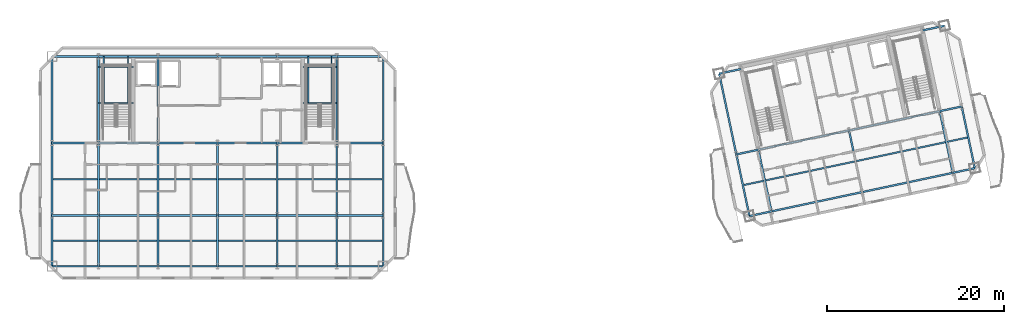
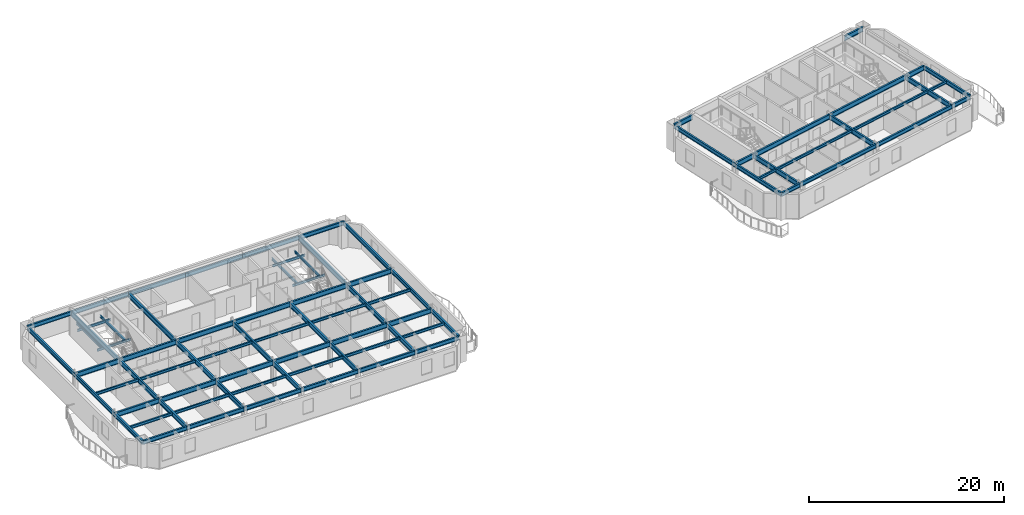
# One storey, part 3 of 13: 83 beams.
"""IFC4 building model written with IfcOpenShell, lengths in metres."""

from ifc_helpers import new_model, si_unit, direction, frame, origin, origin_2d, place, context, subcontext, project, spatial, i_section, extrude, material, material_profile, profile_set, type_object, element, save


model = new_model("IFC4")

# Units and contexts
model_context = context("Model", 3, precision=1e-05, world=origin(), true_north=direction((0.0, 1.0)))
body_context = subcontext(model_context, "Body", "Model", "MODEL_VIEW")
ifc_project = project(units=[si_unit("LENGTHUNIT", "METRE"), si_unit("AREAUNIT", "SQUARE_METRE"), si_unit("VOLUMEUNIT", "CUBIC_METRE"), si_unit("PLANEANGLEUNIT", "RADIAN"), si_unit("MASSUNIT", "GRAM", prefix="KILO")], contexts=[model_context])

# Site, building, storey
site_placement = place(None, origin())
site = spatial("IfcSite", under=ifc_project, at=site_placement, CompositionType="ELEMENT")
building_placement = place(site_placement, origin())
building = spatial("IfcBuilding", under=site, at=building_placement, Name="Haevon Station Towers", CompositionType="ELEMENT")
storey_placement = place(building_placement, frame((0.0, 0.0, 222.0)))
storey = spatial("IfcBuildingStorey", under=building, at=storey_placement, Name="L61", CompositionType="ELEMENT", Elevation=222.0)

# Beams
ifc_material = material(Name="Steel S355", Category="steel")
ifc_material_profile_1 = material_profile(ifc_material, i_section(OverallWidth=0.199951171875, OverallDepth=0.60009765625, WebThickness=0.010986328125, FlangeThickness=0.01708984375, at=origin_2d()), Name="H-600x200x11x17")
ifc_profile_set_1 = profile_set([ifc_material_profile_1], Name="Steel S355")
beam_type_1 = type_object("IfcBeamType", Name="BM-G600", PredefinedType="BEAM", material=ifc_profile_set_1)
beam_1_placement = place(storey_placement, frame((18.75, 30.0, 2.75), z_axis=(1.0, 0.0, 0.0), x_axis=(0.0, 1.0, 0.0)))
element("IfcBeam", 1, at=beam_1_placement, inside=storey, type_object=beam_type_1, Name="BM-T1U-L61-02-01", PredefinedType="BEAM", context=body_context, shape_type="SweptSolid", body=[
    extrude(i_section(OverallWidth=0.199951171875, OverallDepth=0.60009765625, WebThickness=0.010986328125, FlangeThickness=0.01708984375, at=origin_2d()), origin(), (0.0, 0.0, 1.0), 5.25),
])
for number, where, z_axis, x_axis, name in (
    (2, (24.0, 30.0, 2.75), (1.0, 0.0, 0.0), (0.0, 1.0, 0.0), "BM-T1U-L61-02-02"),
    (3, (30.75, 30.0, 2.75), (1.0, 0.0, 0.0), (0.0, 1.0, 0.0), "BM-T1U-L61-02-03"),
    (4, (37.5, 30.0, 2.75), (1.0, 0.0, 0.0), (0.0, 1.0, 0.0), "BM-T1U-L61-02-04"),
    (5, (44.25, 30.0, 2.75), (1.0, 0.0, 0.0), (0.0, 1.0, 0.0), "BM-T1U-L61-02-05"),
):
    element("IfcBeam", number, at=place(storey_placement, frame(where, z_axis=z_axis, x_axis=x_axis)), inside=storey, type_object=beam_type_1, Name=name, PredefinedType="BEAM", context=body_context, shape_type="SweptSolid", body=[
        extrude(i_section(OverallWidth=0.199951171875, OverallDepth=0.60009765625, WebThickness=0.010986328125, FlangeThickness=0.01708984375, at=origin_2d()), origin(), (0.0, 0.0, 1.0), 6.75),
    ])
for number, where, z_axis, x_axis, name in (
    (6, (51.0, 30.0, 2.75), (1.0, 0.0, 0.0), (0.0, 1.0, 0.0), "BM-T1U-L61-02-06"),
    (7, (18.75, 38.199951171875, 2.75), (1.0, 0.0, 0.0), (0.0, 1.0, 0.0), "BM-T1U-L61-03-01"),
):
    element("IfcBeam", number, at=place(storey_placement, frame(where, z_axis=z_axis, x_axis=x_axis)), inside=storey, type_object=beam_type_1, Name=name, PredefinedType="BEAM", context=body_context, shape_type="SweptSolid", body=[
        extrude(i_section(OverallWidth=0.199951171875, OverallDepth=0.60009765625, WebThickness=0.010986328125, FlangeThickness=0.01708984375, at=origin_2d()), origin(), (0.0, 0.0, 1.0), 5.25),
    ])
for number, where, z_axis, x_axis, name in (
    (8, (24.0, 38.199951171875, 2.75), (1.0, 0.0, 0.0), (0.0, 1.0, 0.0), "BM-T1U-L61-03-02"),
    (9, (30.75, 38.199951171875, 2.75), (1.0, 0.0, 0.0), (0.0, 1.0, 0.0), "BM-T1U-L61-03-03"),
    (10, (37.5, 38.199951171875, 2.75), (1.0, 0.0, 0.0), (0.0, 1.0, 0.0), "BM-T1U-L61-03-04"),
    (11, (44.25, 38.199951171875, 2.75), (1.0, 0.0, 0.0), (0.0, 1.0, 0.0), "BM-T1U-L61-03-05"),
):
    element("IfcBeam", number, at=place(storey_placement, frame(where, z_axis=z_axis, x_axis=x_axis)), inside=storey, type_object=beam_type_1, Name=name, PredefinedType="BEAM", context=body_context, shape_type="SweptSolid", body=[
        extrude(i_section(OverallWidth=0.199951171875, OverallDepth=0.60009765625, WebThickness=0.010986328125, FlangeThickness=0.01708984375, at=origin_2d()), origin(), (0.0, 0.0, 1.0), 6.75),
    ])
beam_2_placement = place(storey_placement, frame((51.0, 38.199951171875, 2.75), z_axis=(1.0, 0.0, 0.0), x_axis=(0.0, 1.0, 0.0)))
element("IfcBeam", 12, at=beam_2_placement, inside=storey, type_object=beam_type_1, Name="BM-T1U-L61-03-06", PredefinedType="BEAM", context=body_context, shape_type="SweptSolid", body=[
    extrude(i_section(OverallWidth=0.199951171875, OverallDepth=0.60009765625, WebThickness=0.010986328125, FlangeThickness=0.01708984375, at=origin_2d()), origin(), (0.0, 0.0, 1.0), 5.25),
])
beam_3_placement = place(storey_placement, frame((24.0, 24.25, 2.75), z_axis=(0.0, 1.0, 0.0), x_axis=(-1.0, 0.0, 0.0)))
element("IfcBeam", 13, at=beam_3_placement, inside=storey, type_object=beam_type_1, Name="BM-T1V-L61-02-01", PredefinedType="BEAM", context=body_context, shape_type="SweptSolid", body=[
    extrude(i_section(OverallWidth=0.199951171875, OverallDepth=0.60009765625, WebThickness=0.010986328125, FlangeThickness=0.01708984375, at=origin_2d()), origin(), (0.0, 0.0, 1.0), 5.75),
])
beam_4_placement = place(storey_placement, frame((24.0, 30.0, 2.75), z_axis=(0.0, 1.0, 0.0), x_axis=(-1.0, 0.0, 0.0)))
element("IfcBeam", 14, at=beam_4_placement, inside=storey, type_object=beam_type_1, Name="BM-T1V-L61-02-02", PredefinedType="BEAM", context=body_context, shape_type="SweptSolid", body=[
    extrude(i_section(OverallWidth=0.199951171875, OverallDepth=0.60009765625, WebThickness=0.010986328125, FlangeThickness=0.01708984375, at=origin_2d()), origin(), (0.0, 0.0, 1.0), 8.199951171875),
])
beam_5_placement = place(storey_placement, frame((24.0, 38.199951171875, 2.75), z_axis=(0.0, 1.0, 0.0), x_axis=(-1.0, 0.0, 0.0)))
element("IfcBeam", 15, at=beam_5_placement, inside=storey, type_object=beam_type_1, Name="BM-T1V-L61-02-03", PredefinedType="BEAM", context=body_context, shape_type="SweptSolid", body=[
    extrude(i_section(OverallWidth=0.199951171875, OverallDepth=0.60009765625, WebThickness=0.010986328125, FlangeThickness=0.01708984375, at=origin_2d()), origin(), (0.0, 0.0, 1.0), 9.800048828125),
])
beam_6_placement = place(storey_placement, frame((30.75, 24.25, 2.75), z_axis=(0.0, 1.0, 0.0), x_axis=(-1.0, 0.0, 0.0)))
element("IfcBeam", 16, at=beam_6_placement, inside=storey, type_object=beam_type_1, Name="BM-T1V-L61-03-01", PredefinedType="BEAM", context=body_context, shape_type="SweptSolid", body=[
    extrude(i_section(OverallWidth=0.199951171875, OverallDepth=0.60009765625, WebThickness=0.010986328125, FlangeThickness=0.01708984375, at=origin_2d()), origin(), (0.0, 0.0, 1.0), 5.75),
])
beam_7_placement = place(storey_placement, frame((30.75, 30.0, 2.75), z_axis=(0.0, 1.0, 0.0), x_axis=(-1.0, 0.0, 0.0)))
element("IfcBeam", 17, at=beam_7_placement, inside=storey, type_object=beam_type_1, Name="BM-T1V-L61-03-02", PredefinedType="BEAM", context=body_context, shape_type="SweptSolid", body=[
    extrude(i_section(OverallWidth=0.199951171875, OverallDepth=0.60009765625, WebThickness=0.010986328125, FlangeThickness=0.01708984375, at=origin_2d()), origin(), (0.0, 0.0, 1.0), 8.199951171875),
])
beam_8_placement = place(storey_placement, frame((30.75, 38.199951171875, 2.75), z_axis=(0.0, 1.0, 0.0), x_axis=(-1.0, 0.0, 0.0)))
element("IfcBeam", 18, at=beam_8_placement, inside=storey, type_object=beam_type_1, Name="BM-T1V-L61-03-03", PredefinedType="BEAM", context=body_context, shape_type="SweptSolid", body=[
    extrude(i_section(OverallWidth=0.199951171875, OverallDepth=0.60009765625, WebThickness=0.010986328125, FlangeThickness=0.01708984375, at=origin_2d()), origin(), (0.0, 0.0, 1.0), 9.800048828125),
])
beam_9_placement = place(storey_placement, frame((37.5, 24.25, 2.75), z_axis=(0.0, 1.0, 0.0), x_axis=(-1.0, 0.0, 0.0)))
element("IfcBeam", 19, at=beam_9_placement, inside=storey, type_object=beam_type_1, Name="BM-T1V-L61-04-01", PredefinedType="BEAM", context=body_context, shape_type="SweptSolid", body=[
    extrude(i_section(OverallWidth=0.199951171875, OverallDepth=0.60009765625, WebThickness=0.010986328125, FlangeThickness=0.01708984375, at=origin_2d()), origin(), (0.0, 0.0, 1.0), 5.75),
])
beam_10_placement = place(storey_placement, frame((37.5, 30.0, 2.75), z_axis=(0.0, 1.0, 0.0), x_axis=(-1.0, 0.0, 0.0)))
element("IfcBeam", 20, at=beam_10_placement, inside=storey, type_object=beam_type_1, Name="BM-T1V-L61-04-02", PredefinedType="BEAM", context=body_context, shape_type="SweptSolid", body=[
    extrude(i_section(OverallWidth=0.199951171875, OverallDepth=0.60009765625, WebThickness=0.010986328125, FlangeThickness=0.01708984375, at=origin_2d()), origin(), (0.0, 0.0, 1.0), 8.199951171875),
])
beam_11_placement = place(storey_placement, frame((44.25, 24.25, 2.75), z_axis=(0.0, 1.0, 0.0), x_axis=(-1.0, 0.0, 0.0)))
element("IfcBeam", 21, at=beam_11_placement, inside=storey, type_object=beam_type_1, Name="BM-T1V-L61-05-01", PredefinedType="BEAM", context=body_context, shape_type="SweptSolid", body=[
    extrude(i_section(OverallWidth=0.199951171875, OverallDepth=0.60009765625, WebThickness=0.010986328125, FlangeThickness=0.01708984375, at=origin_2d()), origin(), (0.0, 0.0, 1.0), 5.75),
])
beam_12_placement = place(storey_placement, frame((44.25, 30.0, 2.75), z_axis=(0.0, 1.0, 0.0), x_axis=(-1.0, 0.0, 0.0)))
element("IfcBeam", 22, at=beam_12_placement, inside=storey, type_object=beam_type_1, Name="BM-T1V-L61-05-02", PredefinedType="BEAM", context=body_context, shape_type="SweptSolid", body=[
    extrude(i_section(OverallWidth=0.199951171875, OverallDepth=0.60009765625, WebThickness=0.010986328125, FlangeThickness=0.01708984375, at=origin_2d()), origin(), (0.0, 0.0, 1.0), 8.199951171875),
])
beam_13_placement = place(storey_placement, frame((51.0, 24.25, 2.75), z_axis=(0.0, 1.0, 0.0), x_axis=(-1.0, 0.0, 0.0)))
element("IfcBeam", 23, at=beam_13_placement, inside=storey, type_object=beam_type_1, Name="BM-T1V-L61-06-01", PredefinedType="BEAM", context=body_context, shape_type="SweptSolid", body=[
    extrude(i_section(OverallWidth=0.199951171875, OverallDepth=0.60009765625, WebThickness=0.010986328125, FlangeThickness=0.01708984375, at=origin_2d()), origin(), (0.0, 0.0, 1.0), 5.75),
])
beam_14_placement = place(storey_placement, frame((51.0, 30.0, 2.75), z_axis=(0.0, 1.0, 0.0), x_axis=(-1.0, 0.0, 0.0)))
element("IfcBeam", 24, at=beam_14_placement, inside=storey, type_object=beam_type_1, Name="BM-T1V-L61-06-02", PredefinedType="BEAM", context=body_context, shape_type="SweptSolid", body=[
    extrude(i_section(OverallWidth=0.199951171875, OverallDepth=0.60009765625, WebThickness=0.010986328125, FlangeThickness=0.01708984375, at=origin_2d()), origin(), (0.0, 0.0, 1.0), 8.199951171875),
])
beam_15_placement = place(storey_placement, frame((51.0, 38.199951171875, 2.75), z_axis=(0.0, 1.0, 0.0), x_axis=(-1.0, 0.0, 0.0)))
element("IfcBeam", 25, at=beam_15_placement, inside=storey, type_object=beam_type_1, Name="BM-T1V-L61-06-03", PredefinedType="BEAM", context=body_context, shape_type="SweptSolid", body=[
    extrude(i_section(OverallWidth=0.199951171875, OverallDepth=0.60009765625, WebThickness=0.010986328125, FlangeThickness=0.01708984375, at=origin_2d()), origin(), (0.0, 0.0, 1.0), 9.800048828125),
])
beam_16_placement = place(storey_placement, frame((96.258056640625, 36.912353515625, 2.75), z_axis=(0.978161040728, 0.207848450565, 0.0), x_axis=(-0.207848450565, 0.978161040728, 0.0)))
element("IfcBeam", 26, at=beam_16_placement, inside=storey, type_object=beam_type_1, Name="BM-T2U-L61-02-01", PredefinedType="BEAM", context=body_context, shape_type="SweptSolid", body=[
    extrude(i_section(OverallWidth=0.199951171875, OverallDepth=0.60009765625, WebThickness=0.010986328125, FlangeThickness=0.01708984375, at=origin_2d()), origin(), (0.0, 0.0, 1.0), 2.550048828125),
])
for number, where, z_axis, x_axis, name in (
    (27, (98.75244140625, 37.4423828125, 2.75), (0.978146794194, 0.207915485254, 0.0), (-0.207915485254, 0.978146794194, 0.0), "BM-T2U-L61-02-02"),
    (28, (109.02294921875, 39.62548828125, 2.75), (0.978146794194, 0.207915485254, 0.0), (-0.207915485254, 0.978146794194, 0.0), "BM-T2U-L61-02-03"),
):
    element("IfcBeam", number, at=place(storey_placement, frame(where, z_axis=z_axis, x_axis=x_axis)), inside=storey, type_object=beam_type_1, Name=name, PredefinedType="BEAM", context=body_context, shape_type="SweptSolid", body=[
        extrude(i_section(OverallWidth=0.199951171875, OverallDepth=0.60009765625, WebThickness=0.010986328125, FlangeThickness=0.01708984375, at=origin_2d()), origin(), (0.0, 0.0, 1.0), 10.5),
    ])
beam_17_placement = place(storey_placement, frame((119.29345703125, 41.80859375, 2.75), z_axis=(0.978161040728, 0.207848450565, 0.0), x_axis=(-0.207848450565, 0.978161040728, 0.0)))
element("IfcBeam", 29, at=beam_17_placement, inside=storey, type_object=beam_type_1, Name="BM-T2U-L61-02-04", PredefinedType="BEAM", context=body_context, shape_type="SweptSolid", body=[
    extrude(i_section(OverallWidth=0.199951171875, OverallDepth=0.60009765625, WebThickness=0.010986328125, FlangeThickness=0.01708984375, at=origin_2d()), origin(), (0.0, 0.0, 1.0), 2.550048828125),
])
beam_18_placement = place(storey_placement, frame((94.314208984375, 46.057861328125, 2.75), z_axis=(0.978137432142, 0.207959524531, 0.0), x_axis=(-0.207959524531, 0.978137432142, 0.0)))
element("IfcBeam", 30, at=beam_18_placement, inside=storey, type_object=beam_type_1, Name="BM-T2U-L61-03-01", PredefinedType="BEAM", context=body_context, shape_type="SweptSolid", body=[
    extrude(i_section(OverallWidth=0.199951171875, OverallDepth=0.60009765625, WebThickness=0.010986328125, FlangeThickness=0.01708984375, at=origin_2d()), origin(), (0.0, 0.0, 1.0), 2.5498046875),
])
beam_19_placement = place(storey_placement, frame((117.349365234375, 50.954345703125, 2.75), z_axis=(0.978161040728, 0.207848450565, 0.0), x_axis=(-0.207848450565, 0.978161040728, 0.0)))
element("IfcBeam", 31, at=beam_19_placement, inside=storey, type_object=beam_type_1, Name="BM-T2U-L61-03-04", PredefinedType="BEAM", context=body_context, shape_type="SweptSolid", body=[
    extrude(i_section(OverallWidth=0.199951171875, OverallDepth=0.60009765625, WebThickness=0.010986328125, FlangeThickness=0.01708984375, at=origin_2d()), origin(), (0.0, 0.0, 1.0), 2.550048828125),
])
for number, where, z_axis, x_axis, name in (
    (32, (100.23681640625, 30.45849609375, 2.75), (-0.207898833396, 0.978150333575, 0.0), (-0.978150333575, -0.207898833396, 0.0), "BM-T2V-L61-02-01"),
    (33, (110.50732421875, 32.6416015625, 2.75), (-0.207898833396, 0.978150333575, 0.0), (-0.978150333575, -0.207898833396, 0.0), "BM-T2V-L61-03-01"),
):
    element("IfcBeam", number, at=place(storey_placement, frame(where, z_axis=z_axis, x_axis=x_axis)), inside=storey, type_object=beam_type_1, Name=name, PredefinedType="BEAM", context=body_context, shape_type="SweptSolid", body=[
        extrude(i_section(OverallWidth=0.199951171875, OverallDepth=0.60009765625, WebThickness=0.010986328125, FlangeThickness=0.01708984375, at=origin_2d()), origin(), (0.0, 0.0, 1.0), 7.139892578125),
    ])
beam_20_placement = place(storey_placement, frame((120.77783203125, 34.824462890625, 2.75), z_axis=(-0.207891880081, 0.978151811426, 0.0), x_axis=(-0.978151811426, -0.207891880081, 0.0)))
element("IfcBeam", 34, at=beam_20_placement, inside=storey, type_object=beam_type_1, Name="BM-T2V-L61-04-01", PredefinedType="BEAM", context=body_context, shape_type="SweptSolid", body=[
    extrude(i_section(OverallWidth=0.199951171875, OverallDepth=0.60009765625, WebThickness=0.010986328125, FlangeThickness=0.01708984375, at=origin_2d()), origin(), (0.0, 0.0, 1.0), 7.14013671875),
])
ifc_material_profile_2 = material_profile(ifc_material, i_section(OverallWidth=0.175048828125, OverallDepth=0.35009765625, WebThickness=0.007080078125, FlangeThickness=0.010986328125, at=origin_2d()), Name="H-350x175x7x11")
ifc_profile_set_2 = profile_set([ifc_material_profile_2], Name="Steel S355")
beam_type_2 = type_object("IfcBeamType", Name="BM-J350", PredefinedType="JOIST", material=ifc_profile_set_2)
beam_21_placement = place(storey_placement, frame((18.860107421875, 27.125, 2.875), z_axis=(1.0, 0.0, 0.0), x_axis=(0.0, 1.0, 0.0)))
element("IfcBeam", 35, at=beam_21_placement, inside=storey, type_object=beam_type_2, Name="BM-T1J-L61-01-01", PredefinedType="JOIST", context=body_context, shape_type="SweptSolid", body=[
    extrude(i_section(OverallWidth=0.175048828125, OverallDepth=0.35009765625, WebThickness=0.007080078125, FlangeThickness=0.010986328125, at=origin_2d()), origin(), (0.0, 0.0, 1.0), 5.02978515625),
])
for number, where, z_axis, x_axis, name in (
    (36, (24.110107421875, 27.125, 2.875), (1.0, 0.0, 0.0), (0.0, 1.0, 0.0), "BM-T1J-L61-01-02"),
    (37, (30.860107421875, 27.125, 2.875), (1.0, 0.0, 0.0), (0.0, 1.0, 0.0), "BM-T1J-L61-01-03"),
    (38, (37.610107421875, 27.125, 2.875), (1.0, 0.0, 0.0), (0.0, 1.0, 0.0), "BM-T1J-L61-01-04"),
    (39, (44.360107421875, 27.125, 2.875), (1.0, 0.0, 0.0), (0.0, 1.0, 0.0), "BM-T1J-L61-01-05"),
):
    element("IfcBeam", number, at=place(storey_placement, frame(where, z_axis=z_axis, x_axis=x_axis)), inside=storey, type_object=beam_type_2, Name=name, PredefinedType="JOIST", context=body_context, shape_type="SweptSolid", body=[
        extrude(i_section(OverallWidth=0.175048828125, OverallDepth=0.35009765625, WebThickness=0.007080078125, FlangeThickness=0.010986328125, at=origin_2d()), origin(), (0.0, 0.0, 1.0), 6.52978515625),
    ])
for number, where, z_axis, x_axis, name in (
    (40, (51.110107421875, 27.125, 2.875), (1.0, 0.0, 0.0), (0.0, 1.0, 0.0), "BM-T1J-L61-01-06"),
    (41, (18.860107421875, 34.10009765625, 2.875), (1.0, 0.0, 0.0), (0.0, 1.0, 0.0), "BM-T1J-L61-02-01"),
):
    element("IfcBeam", number, at=place(storey_placement, frame(where, z_axis=z_axis, x_axis=x_axis)), inside=storey, type_object=beam_type_2, Name=name, PredefinedType="JOIST", context=body_context, shape_type="SweptSolid", body=[
        extrude(i_section(OverallWidth=0.175048828125, OverallDepth=0.35009765625, WebThickness=0.007080078125, FlangeThickness=0.010986328125, at=origin_2d()), origin(), (0.0, 0.0, 1.0), 5.02978515625),
    ])
for number, where, z_axis, x_axis, name in (
    (42, (24.110107421875, 34.10009765625, 2.875), (1.0, 0.0, 0.0), (0.0, 1.0, 0.0), "BM-T1J-L61-02-02"),
    (43, (30.860107421875, 34.10009765625, 2.875), (1.0, 0.0, 0.0), (0.0, 1.0, 0.0), "BM-T1J-L61-02-03"),
    (44, (37.610107421875, 34.10009765625, 2.875), (1.0, 0.0, 0.0), (0.0, 1.0, 0.0), "BM-T1J-L61-02-04"),
    (45, (44.360107421875, 34.10009765625, 2.875), (1.0, 0.0, 0.0), (0.0, 1.0, 0.0), "BM-T1J-L61-02-05"),
):
    element("IfcBeam", number, at=place(storey_placement, frame(where, z_axis=z_axis, x_axis=x_axis)), inside=storey, type_object=beam_type_2, Name=name, PredefinedType="JOIST", context=body_context, shape_type="SweptSolid", body=[
        extrude(i_section(OverallWidth=0.175048828125, OverallDepth=0.35009765625, WebThickness=0.007080078125, FlangeThickness=0.010986328125, at=origin_2d()), origin(), (0.0, 0.0, 1.0), 6.52978515625),
    ])
beam_22_placement = place(storey_placement, frame((51.110107421875, 34.10009765625, 2.875), z_axis=(1.0, 0.0, 0.0), x_axis=(0.0, 1.0, 0.0)))
element("IfcBeam", 46, at=beam_22_placement, inside=storey, type_object=beam_type_2, Name="BM-T1J-L61-02-06", PredefinedType="JOIST", context=body_context, shape_type="SweptSolid", body=[
    extrude(i_section(OverallWidth=0.175048828125, OverallDepth=0.35009765625, WebThickness=0.007080078125, FlangeThickness=0.010986328125, at=origin_2d()), origin(), (0.0, 0.0, 1.0), 5.02978515625),
])
beam_23_placement = place(storey_placement, frame((97.10791015625, 33.443115234375, 2.875), z_axis=(0.978152192783, 0.207890085751, 0.0), x_axis=(-0.207890085751, 0.978152192783, 0.0)))
element("IfcBeam", 47, at=beam_23_placement, inside=storey, type_object=beam_type_2, Name="BM-T2J-L61-01-01", PredefinedType="JOIST", context=body_context, shape_type="SweptSolid", body=[
    extrude(i_section(OverallWidth=0.175048828125, OverallDepth=0.35009765625, WebThickness=0.007080078125, FlangeThickness=0.010986328125, at=origin_2d()), origin(), (0.0, 0.0, 1.0), 2.330078125),
])
for number, where, z_axis, x_axis, name in (
    (48, (99.602294921875, 33.973388671875, 2.875), (0.978149313139, 0.20790363442, 0.0), (-0.20790363442, 0.978149313139, 0.0), "BM-T2J-L61-01-02"),
    (49, (109.872802734375, 36.15625, 2.875), (0.97814448317, 0.207926357261, 0.0), (-0.207926357261, 0.97814448317, 0.0), "BM-T2J-L61-01-03"),
):
    element("IfcBeam", number, at=place(storey_placement, frame(where, z_axis=z_axis, x_axis=x_axis)), inside=storey, type_object=beam_type_2, Name=name, PredefinedType="JOIST", context=body_context, shape_type="SweptSolid", body=[
        extrude(i_section(OverallWidth=0.175048828125, OverallDepth=0.35009765625, WebThickness=0.007080078125, FlangeThickness=0.010986328125, at=origin_2d()), origin(), (0.0, 0.0, 1.0), 10.27978515625),
    ])
beam_24_placement = place(storey_placement, frame((120.143310546875, 38.33935546875, 2.875), z_axis=(0.978130880619, 0.207990337228, 0.0), x_axis=(-0.207990337228, 0.978130880619, 0.0)))
element("IfcBeam", 50, at=beam_24_placement, inside=storey, type_object=beam_type_2, Name="BM-T2J-L61-01-04", PredefinedType="JOIST", context=body_context, shape_type="SweptSolid", body=[
    extrude(i_section(OverallWidth=0.175048828125, OverallDepth=0.35009765625, WebThickness=0.007080078125, FlangeThickness=0.010986328125, at=origin_2d()), origin(), (0.0, 0.0, 1.0), 2.330078125),
])
ifc_material_profile_3 = material_profile(ifc_material, i_section(OverallWidth=0.14990234375, OverallDepth=0.300048828125, WebThickness=0.006591796875, FlangeThickness=0.009033203125, at=origin_2d()), Name="H-300x150x6.5x9")
ifc_profile_set_3 = profile_set([ifc_material_profile_3], Name="Steel S355")
beam_type_3 = type_object("IfcBeamType", Name="BM-LIN300", PredefinedType="LINTEL", material=ifc_profile_set_3)
for number, where, z_axis, x_axis, name in (
    (51, (24.0, 42.743896484375, 1.300048828125), (1.0, 0.0, 0.0), (0.0, 1.0, 0.0), "BM-ST1L-L61-1-S"),
    (52, (24.0, 46.820068359375, 1.300048828125), (1.0, 0.0, 0.0), (0.0, 1.0, 0.0), "BM-ST1L-L61-1-N"),
):
    element("IfcBeam", number, at=place(storey_placement, frame(where, z_axis=z_axis, x_axis=x_axis)), inside=storey, type_object=beam_type_3, Name=name, PredefinedType="LINTEL", context=body_context, shape_type="SweptSolid", body=[
        extrude(i_section(OverallWidth=0.14990234375, OverallDepth=0.300048828125, WebThickness=0.006591796875, FlangeThickness=0.009033203125, at=origin_2d()), origin(), (0.0, 0.0, 1.0), 3.949951171875),
    ])
for number, where, z_axis, x_axis, name in (
    (53, (24.60009765625, 42.743896484375, 1.300048828125), (0.0, 1.0, 0.0), (-1.0, 0.0, 0.0), "BM-ST1L-L61-1-W"),
    (54, (27.35009765625, 42.743896484375, 1.300048828125), (0.0, 1.0, 0.0), (-1.0, 0.0, 0.0), "BM-ST1L-L61-1-E"),
):
    element("IfcBeam", number, at=place(storey_placement, frame(where, z_axis=z_axis, x_axis=x_axis)), inside=storey, type_object=beam_type_3, Name=name, PredefinedType="LINTEL", context=body_context, shape_type="SweptSolid", body=[
        extrude(i_section(OverallWidth=0.14990234375, OverallDepth=0.300048828125, WebThickness=0.006591796875, FlangeThickness=0.009033203125, at=origin_2d()), origin(), (0.0, 0.0, 1.0), 5.256103515625),
    ])
for number, where, z_axis, x_axis, name in (
    (55, (47.14990234375, 42.743896484375, 1.300048828125), (1.0, 0.0, 0.0), (0.0, 1.0, 0.0), "BM-ST2L-L61-1-S"),
    (56, (47.14990234375, 46.820068359375, 1.300048828125), (1.0, 0.0, 0.0), (0.0, 1.0, 0.0), "BM-ST2L-L61-1-N"),
):
    element("IfcBeam", number, at=place(storey_placement, frame(where, z_axis=z_axis, x_axis=x_axis)), inside=storey, type_object=beam_type_3, Name=name, PredefinedType="LINTEL", context=body_context, shape_type="SweptSolid", body=[
        extrude(i_section(OverallWidth=0.14990234375, OverallDepth=0.300048828125, WebThickness=0.006591796875, FlangeThickness=0.009033203125, at=origin_2d()), origin(), (0.0, 0.0, 1.0), 3.85009765625),
    ])
for number, where, z_axis, x_axis, name in (
    (57, (47.75, 42.743896484375, 1.300048828125), (0.0, 1.0, 0.0), (-1.0, 0.0, 0.0), "BM-ST2L-L61-1-W"),
    (58, (50.39990234375, 42.743896484375, 1.300048828125), (0.0, 1.0, 0.0), (-1.0, 0.0, 0.0), "BM-ST2L-L61-1-E"),
):
    element("IfcBeam", number, at=place(storey_placement, frame(where, z_axis=z_axis, x_axis=x_axis)), inside=storey, type_object=beam_type_3, Name=name, PredefinedType="LINTEL", context=body_context, shape_type="SweptSolid", body=[
        extrude(i_section(OverallWidth=0.14990234375, OverallDepth=0.300048828125, WebThickness=0.006591796875, FlangeThickness=0.009033203125, at=origin_2d()), origin(), (0.0, 0.0, 1.0), 5.256103515625),
    ])
ifc_material_profile_4 = material_profile(ifc_material, i_section(OverallWidth=0.199951171875, OverallDepth=0.5, WebThickness=0.010009765625, FlangeThickness=0.01611328125, at=origin_2d()), Name="H-500x200x10x16")
ifc_profile_set_4 = profile_set([ifc_material_profile_4], Name="Steel S355")
beam_type_4 = type_object("IfcBeamType", Name="BM-SP500", PredefinedType="SPANDREL", material=ifc_profile_set_4)
beam_25_placement = place(storey_placement, frame((18.75, 24.25, 2.800048828125), z_axis=(1.0, 0.0, 0.0), x_axis=(0.0, 1.0, 0.0)))
element("IfcBeam", 59, at=beam_25_placement, inside=storey, type_object=beam_type_4, Name="BM-T1U-L61-01-01", PredefinedType="SPANDREL", context=body_context, shape_type="SweptSolid", body=[
    extrude(i_section(OverallWidth=0.199951171875, OverallDepth=0.5, WebThickness=0.010009765625, FlangeThickness=0.01611328125, at=origin_2d()), origin(), (0.0, 0.0, 1.0), 5.25),
])
for number, where, z_axis, x_axis, name in (
    (60, (24.0, 24.25, 2.800048828125), (1.0, 0.0, 0.0), (0.0, 1.0, 0.0), "BM-T1U-L61-01-02"),
    (61, (30.75, 24.25, 2.800048828125), (1.0, 0.0, 0.0), (0.0, 1.0, 0.0), "BM-T1U-L61-01-03"),
    (62, (37.5, 24.25, 2.800048828125), (1.0, 0.0, 0.0), (0.0, 1.0, 0.0), "BM-T1U-L61-01-04"),
    (63, (44.25, 24.25, 2.800048828125), (1.0, 0.0, 0.0), (0.0, 1.0, 0.0), "BM-T1U-L61-01-05"),
):
    element("IfcBeam", number, at=place(storey_placement, frame(where, z_axis=z_axis, x_axis=x_axis)), inside=storey, type_object=beam_type_4, Name=name, PredefinedType="SPANDREL", context=body_context, shape_type="SweptSolid", body=[
        extrude(i_section(OverallWidth=0.199951171875, OverallDepth=0.5, WebThickness=0.010009765625, FlangeThickness=0.01611328125, at=origin_2d()), origin(), (0.0, 0.0, 1.0), 6.75),
    ])
for number, where, z_axis, x_axis, name in (
    (64, (51.0, 24.25, 2.800048828125), (1.0, 0.0, 0.0), (0.0, 1.0, 0.0), "BM-T1U-L61-01-06"),
    (65, (18.75, 48.0, 2.800048828125), (1.0, 0.0, 0.0), (0.0, 1.0, 0.0), "BM-T1U-L61-04-01"),
):
    element("IfcBeam", number, at=place(storey_placement, frame(where, z_axis=z_axis, x_axis=x_axis)), inside=storey, type_object=beam_type_4, Name=name, PredefinedType="SPANDREL", context=body_context, shape_type="SweptSolid", body=[
        extrude(i_section(OverallWidth=0.199951171875, OverallDepth=0.5, WebThickness=0.010009765625, FlangeThickness=0.01611328125, at=origin_2d()), origin(), (0.0, 0.0, 1.0), 5.25),
    ])
for number, where, z_axis, x_axis, name in (
    (66, (24.0, 48.0, 2.800048828125), (1.0, 0.0, 0.0), (0.0, 1.0, 0.0), "BM-T1U-L61-04-02"),
    (67, (30.75, 48.0, 2.800048828125), (1.0, 0.0, 0.0), (0.0, 1.0, 0.0), "BM-T1U-L61-04-03"),
    (68, (37.5, 48.0, 2.800048828125), (1.0, 0.0, 0.0), (0.0, 1.0, 0.0), "BM-T1U-L61-04-04"),
    (69, (44.25, 48.0, 2.800048828125), (1.0, 0.0, 0.0), (0.0, 1.0, 0.0), "BM-T1U-L61-04-05"),
):
    element("IfcBeam", number, at=place(storey_placement, frame(where, z_axis=z_axis, x_axis=x_axis)), inside=storey, type_object=beam_type_4, Name=name, PredefinedType="SPANDREL", context=body_context, shape_type="SweptSolid", body=[
        extrude(i_section(OverallWidth=0.199951171875, OverallDepth=0.5, WebThickness=0.010009765625, FlangeThickness=0.01611328125, at=origin_2d()), origin(), (0.0, 0.0, 1.0), 6.75),
    ])
beam_26_placement = place(storey_placement, frame((51.0, 48.0, 2.800048828125), z_axis=(1.0, 0.0, 0.0), x_axis=(0.0, 1.0, 0.0)))
element("IfcBeam", 70, at=beam_26_placement, inside=storey, type_object=beam_type_4, Name="BM-T1U-L61-04-06", PredefinedType="SPANDREL", context=body_context, shape_type="SweptSolid", body=[
    extrude(i_section(OverallWidth=0.199951171875, OverallDepth=0.5, WebThickness=0.010009765625, FlangeThickness=0.01611328125, at=origin_2d()), origin(), (0.0, 0.0, 1.0), 5.25),
])
beam_27_placement = place(storey_placement, frame((18.75, 24.25, 2.800048828125), z_axis=(0.0, 1.0, 0.0), x_axis=(-1.0, 0.0, 0.0)))
element("IfcBeam", 71, at=beam_27_placement, inside=storey, type_object=beam_type_4, Name="BM-T1V-L61-01-01", PredefinedType="SPANDREL", context=body_context, shape_type="SweptSolid", body=[
    extrude(i_section(OverallWidth=0.199951171875, OverallDepth=0.5, WebThickness=0.010009765625, FlangeThickness=0.01611328125, at=origin_2d()), origin(), (0.0, 0.0, 1.0), 5.75),
])
beam_28_placement = place(storey_placement, frame((18.75, 30.0, 2.800048828125), z_axis=(0.0, 1.0, 0.0), x_axis=(-1.0, 0.0, 0.0)))
element("IfcBeam", 72, at=beam_28_placement, inside=storey, type_object=beam_type_4, Name="BM-T1V-L61-01-02", PredefinedType="SPANDREL", context=body_context, shape_type="SweptSolid", body=[
    extrude(i_section(OverallWidth=0.199951171875, OverallDepth=0.5, WebThickness=0.010009765625, FlangeThickness=0.01611328125, at=origin_2d()), origin(), (0.0, 0.0, 1.0), 8.199951171875),
])
beam_29_placement = place(storey_placement, frame((18.75, 38.199951171875, 2.800048828125), z_axis=(0.0, 1.0, 0.0), x_axis=(-1.0, 0.0, 0.0)))
element("IfcBeam", 73, at=beam_29_placement, inside=storey, type_object=beam_type_4, Name="BM-T1V-L61-01-03", PredefinedType="SPANDREL", context=body_context, shape_type="SweptSolid", body=[
    extrude(i_section(OverallWidth=0.199951171875, OverallDepth=0.5, WebThickness=0.010009765625, FlangeThickness=0.01611328125, at=origin_2d()), origin(), (0.0, 0.0, 1.0), 9.800048828125),
])
beam_30_placement = place(storey_placement, frame((56.25, 24.25, 2.800048828125), z_axis=(0.0, 1.0, 0.0), x_axis=(-1.0, 0.0, 0.0)))
element("IfcBeam", 74, at=beam_30_placement, inside=storey, type_object=beam_type_4, Name="BM-T1V-L61-07-01", PredefinedType="SPANDREL", context=body_context, shape_type="SweptSolid", body=[
    extrude(i_section(OverallWidth=0.199951171875, OverallDepth=0.5, WebThickness=0.010009765625, FlangeThickness=0.01611328125, at=origin_2d()), origin(), (0.0, 0.0, 1.0), 5.75),
])
beam_31_placement = place(storey_placement, frame((56.25, 30.0, 2.800048828125), z_axis=(0.0, 1.0, 0.0), x_axis=(-1.0, 0.0, 0.0)))
element("IfcBeam", 75, at=beam_31_placement, inside=storey, type_object=beam_type_4, Name="BM-T1V-L61-07-02", PredefinedType="SPANDREL", context=body_context, shape_type="SweptSolid", body=[
    extrude(i_section(OverallWidth=0.199951171875, OverallDepth=0.5, WebThickness=0.010009765625, FlangeThickness=0.01611328125, at=origin_2d()), origin(), (0.0, 0.0, 1.0), 8.199951171875),
])
beam_32_placement = place(storey_placement, frame((56.25, 38.199951171875, 2.800048828125), z_axis=(0.0, 1.0, 0.0), x_axis=(-1.0, 0.0, 0.0)))
element("IfcBeam", 76, at=beam_32_placement, inside=storey, type_object=beam_type_4, Name="BM-T1V-L61-07-03", PredefinedType="SPANDREL", context=body_context, shape_type="SweptSolid", body=[
    extrude(i_section(OverallWidth=0.199951171875, OverallDepth=0.5, WebThickness=0.010009765625, FlangeThickness=0.01611328125, at=origin_2d()), origin(), (0.0, 0.0, 1.0), 9.800048828125),
])
beam_33_placement = place(storey_placement, frame((97.74267578125, 29.92822265625, 2.800048828125), z_axis=(0.978137432142, 0.207959524531, 0.0), x_axis=(-0.207959524531, 0.978137432142, 0.0)))
element("IfcBeam", 77, at=beam_33_placement, inside=storey, type_object=beam_type_4, Name="BM-T2U-L61-01-01", PredefinedType="SPANDREL", context=body_context, shape_type="SweptSolid", body=[
    extrude(i_section(OverallWidth=0.199951171875, OverallDepth=0.5, WebThickness=0.010009765625, FlangeThickness=0.01611328125, at=origin_2d()), origin(), (0.0, 0.0, 1.0), 2.5498046875),
])
for number, where, z_axis, x_axis, name in (
    (78, (100.23681640625, 30.45849609375, 2.800048828125), (0.978146794194, 0.207915485254, 0.0), (-0.207915485254, 0.978146794194, 0.0), "BM-T2U-L61-01-02"),
    (79, (110.50732421875, 32.6416015625, 2.800048828125), (0.978151522678, 0.207893238667, 0.0), (-0.207893238667, 0.978151522678, 0.0), "BM-T2U-L61-01-03"),
):
    element("IfcBeam", number, at=place(storey_placement, frame(where, z_axis=z_axis, x_axis=x_axis)), inside=storey, type_object=beam_type_4, Name=name, PredefinedType="SPANDREL", context=body_context, shape_type="SweptSolid", body=[
        extrude(i_section(OverallWidth=0.199951171875, OverallDepth=0.5, WebThickness=0.010009765625, FlangeThickness=0.01611328125, at=origin_2d()), origin(), (0.0, 0.0, 1.0), 10.5),
    ])
beam_34_placement = place(storey_placement, frame((120.77783203125, 34.824462890625, 2.800048828125), z_axis=(0.978141572287, 0.207940050407, 0.0), x_axis=(-0.207940050407, 0.978141572287, 0.0)))
element("IfcBeam", 80, at=beam_34_placement, inside=storey, type_object=beam_type_4, Name="BM-T2U-L61-01-04", PredefinedType="SPANDREL", context=body_context, shape_type="SweptSolid", body=[
    extrude(i_section(OverallWidth=0.199951171875, OverallDepth=0.5, WebThickness=0.010009765625, FlangeThickness=0.01611328125, at=origin_2d()), origin(), (0.0, 0.0, 1.0), 2.550048828125),
])
beam_35_placement = place(storey_placement, frame((97.74267578125, 29.92822265625, 2.800048828125), z_axis=(-0.207924594698, 0.97814485784, 0.0), x_axis=(-0.97814485784, -0.207924594698, 0.0)))
element("IfcBeam", 81, at=beam_35_placement, inside=storey, type_object=beam_type_4, Name="BM-T2V-L61-01-01", PredefinedType="SPANDREL", context=body_context, shape_type="SweptSolid", body=[
    extrude(i_section(OverallWidth=0.199951171875, OverallDepth=0.5, WebThickness=0.010009765625, FlangeThickness=0.01611328125, at=origin_2d()), origin(), (0.0, 0.0, 1.0), 7.14013671875),
])
beam_36_placement = place(storey_placement, frame((96.258056640625, 36.912353515625, 2.800048828125), z_axis=(-0.207902477038, 0.978149559138, 0.0), x_axis=(-0.978149559138, -0.207902477038, 0.0)))
element("IfcBeam", 82, at=beam_36_placement, inside=storey, type_object=beam_type_4, Name="BM-T2V-L61-01-02", PredefinedType="SPANDREL", context=body_context, shape_type="SweptSolid", body=[
    extrude(i_section(OverallWidth=0.199951171875, OverallDepth=0.5, WebThickness=0.010009765625, FlangeThickness=0.01611328125, at=origin_2d()), origin(), (0.0, 0.0, 1.0), 9.349853515625),
])
beam_37_placement = place(storey_placement, frame((123.272216796875, 35.354736328125, 2.800048828125), z_axis=(-0.207898833396, 0.978150333575, 0.0), x_axis=(-0.978150333575, -0.207898833396, 0.0)))
element("IfcBeam", 83, at=beam_37_placement, inside=storey, type_object=beam_type_4, Name="BM-T2V-L61-05-01", PredefinedType="SPANDREL", context=body_context, shape_type="SweptSolid", body=[
    extrude(i_section(OverallWidth=0.199951171875, OverallDepth=0.5, WebThickness=0.010009765625, FlangeThickness=0.01611328125, at=origin_2d()), origin(), (0.0, 0.0, 1.0), 7.139892578125),
])

save(model, "model.ifc")
